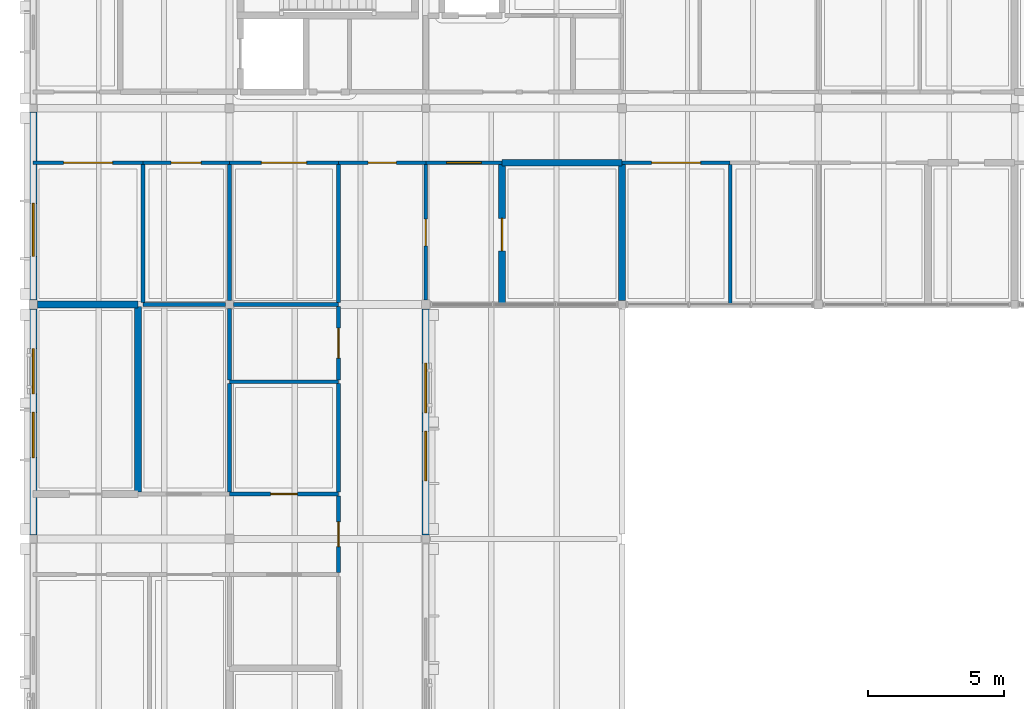
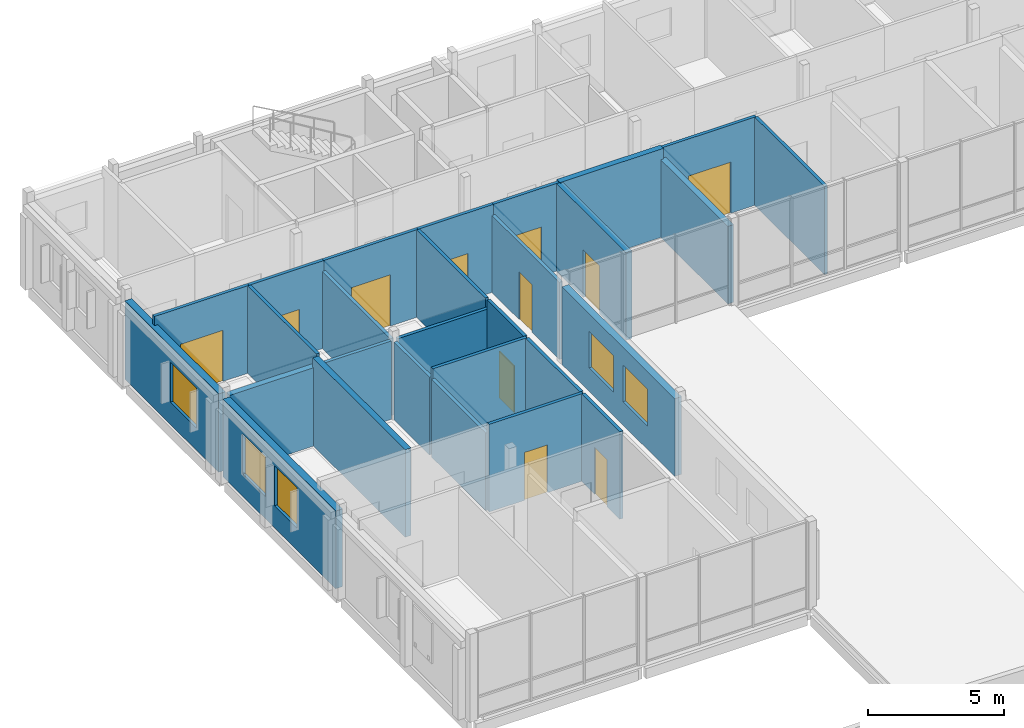
# One storey, part 38 of 57: 28 walls, 11 doors, 5 windows, 16 openings.
"""IFC4 building model written with IfcOpenShell, lengths in metres."""

from ifc_helpers import new_model, si_unit, direction, frame, frame_2d, origin, place, context, subcontext, project, spatial, rectangle, extrude, material, layer, layer_set, type_object, element, fill, save


model = new_model("IFC4")

# Units and contexts
model_context = context("Model", 3, precision=1e-05, world=origin(), true_north=direction((0.0, 1.0)))
body_context = subcontext(model_context, "Body", "Model", "MODEL_VIEW")
ifc_project = project(units=[si_unit("LENGTHUNIT", "METRE"), si_unit("AREAUNIT", "SQUARE_METRE"), si_unit("VOLUMEUNIT", "CUBIC_METRE"), si_unit("PLANEANGLEUNIT", "RADIAN"), si_unit("MASSUNIT", "GRAM", prefix="KILO")], contexts=[model_context])

# Site, building, storey
site_placement = place(None, origin())
site = spatial("IfcSite", under=ifc_project, at=site_placement, CompositionType="ELEMENT")
building_placement = place(site_placement, origin())
building = spatial("IfcBuilding", under=site, at=building_placement, Name="Hawrajan Terrace Health Centre", CompositionType="ELEMENT")
storey_placement = place(building_placement, frame((0.0, 0.0, 13.199951171875)))
storey = spatial("IfcBuildingStorey", under=building, at=storey_placement, Name="L03", CompositionType="ELEMENT", Elevation=13.199951171875)

# Wall, opening, door
ifc_material_1 = material(Name="Gypsum board on acoustic stud framing")
ifc_layer_1 = layer(ifc_material_1, 0.139892578125)
ifc_layer_set_1 = layer_set([ifc_layer_1], Name="Gypsum board on acoustic stud framing")
wall_type_1 = type_object("IfcWallType", Name="ClinicalAcousticWall_140", PredefinedType="PARTITIONING", material=ifc_layer_set_1)
wall_1_placement = place(storey_placement, frame((4.60009765625, 50.60009765625, 0.0), z_axis=(0.0, 0.0, 1.0), x_axis=(1.0, 0.0, 0.0)))
wall_1 = element("IfcWall", 1, at=wall_1_placement, inside=storey, type_object=wall_type_1, Name="Interior wall IW-L03-1275", PredefinedType="PARTITIONING", context=body_context, shape_type="SweptSolid", body=[
    extrude(rectangle(XDim=4.02490234375, YDim=0.139892578125, at=frame_2d((2.012451171875, 0.0))), origin(), (0.0, 0.0, 1.0), 3.929931640625),
])
opening_1_placement = place(wall_1_placement, frame((1.112548828125, 0.0, 0.0)))
opening_1 = element("IfcOpeningElement", 2, at=opening_1_placement, cuts=wall_1, Name="Opening D-L03-591", PredefinedType="OPENING", context=body_context, shape_type="SweptSolid", body=[
    extrude(rectangle(XDim=1.800048828125, YDim=2.300048828125, at=frame_2d((0.89990234375, 1.14990234375))), frame((0.0, 0.079833984375, 0.0), z_axis=(0.0, -1.0, 0.0), x_axis=(1.0, 0.0, 0.0)), (0.0, 0.0, 1.0), 0.159912109375),
])
ifc_material_2 = material(Name="Hardwood acoustic clinical door leaf and frame", Category="wood")
door_type_1 = type_object("IfcDoorType", Name="EducationHallDoor_1800x2300", OperationType="DOUBLE_DOOR_SINGLE_SWING", PredefinedType="DOOR", material=ifc_material_2)
door_1_placement = place(opening_1_placement, origin())
door_1 = element("IfcDoor", 3, at=door_1_placement, inside=storey, type_object=door_type_1, Name="Interior door D-L03-591", OperationType="DOUBLE_DOOR_SINGLE_SWING", OverallHeight=2.300048828125, OverallWidth=1.800048828125, PredefinedType="DOOR", context=body_context, shape_type="SweptSolid", body=[
    extrude(rectangle(XDim=1.800048828125, YDim=2.300048828125, at=frame_2d((0.89990234375, 1.14990234375))), frame((0.0, 0.02490234375, 0.0), z_axis=(0.0, -1.0, 0.0), x_axis=(1.0, 0.0, 0.0)), (0.0, 0.0, 1.0), 0.050048828125),
])
fill(opening_1, door_1)

# Walls
wall_2_placement = place(storey_placement, frame((8.625, 45.469970703125, 0.0), z_axis=(0.0, 0.0, 1.0), x_axis=(0.0, 1.0, 0.0)))
element("IfcWall", 4, at=wall_2_placement, inside=storey, type_object=wall_type_1, Name="Interior wall IW-L03-1281", PredefinedType="PARTITIONING", context=body_context, shape_type="SweptSolid", body=[
    extrude(rectangle(XDim=5.06005859375, YDim=0.139892578125, at=frame_2d((2.530029296875, 0.0))), origin(), (0.0, 0.0, 1.0), 3.929931640625),
])
wall_3_placement = place(storey_placement, frame((8.625, 45.39990234375, 0.0), z_axis=(0.0, 0.0, 1.0), x_axis=(1.0, 0.0, 0.0)))
element("IfcWall", 5, at=wall_3_placement, inside=storey, type_object=wall_type_1, Name="Interior wall IW-L03-1282", PredefinedType="PARTITIONING", context=body_context, shape_type="SweptSolid", body=[
    extrude(rectangle(XDim=3.034912109375, YDim=0.139892578125, at=frame_2d((1.517578125, 0.0))), origin(), (0.0, 0.0, 1.0), 3.52001953125),
])

# Wall, opening, door
wall_4_placement = place(storey_placement, frame((8.625, 50.60009765625, 0.0), z_axis=(0.0, 0.0, 1.0), x_axis=(1.0, 0.0, 0.0)))
wall_4 = element("IfcWall", 6, at=wall_4_placement, inside=storey, type_object=wall_type_1, Name="Interior wall IW-L03-1283", PredefinedType="PARTITIONING", context=body_context, shape_type="SweptSolid", body=[
    extrude(rectangle(XDim=3.175048828125, YDim=0.139892578125, at=frame_2d((1.58740234375, 0.0))), origin(), (0.0, 0.0, 1.0), 3.929931640625),
])
opening_2_placement = place(wall_4_placement, frame((1.03759765625, 0.0, 0.0)))
opening_2 = element("IfcOpeningElement", 7, at=opening_2_placement, cuts=wall_4, Name="Opening D-L03-592", PredefinedType="OPENING", context=body_context, shape_type="SweptSolid", body=[
    extrude(rectangle(XDim=1.10009765625, YDim=2.10009765625, at=frame_2d((0.550048828125, 1.050048828125))), frame((0.0, 0.079833984375, 0.0), z_axis=(0.0, -1.0, 0.0), x_axis=(1.0, 0.0, 0.0)), (0.0, 0.0, 1.0), 0.159912109375),
])
door_type_2 = type_object("IfcDoorType", Name="ConsultDoor_1100x2100", OperationType="NOTDEFINED", PredefinedType="DOOR", material=ifc_material_2)
door_2_placement = place(opening_2_placement, origin())
door_2 = element("IfcDoor", 8, at=door_2_placement, inside=storey, type_object=door_type_2, Name="Interior door D-L03-592", OperationType="SINGLE_SWING_RIGHT", OverallHeight=2.10009765625, OverallWidth=1.10009765625, PredefinedType="DOOR", context=body_context, shape_type="SweptSolid", body=[
    extrude(rectangle(XDim=1.10009765625, YDim=2.10009765625, at=frame_2d((0.550048828125, 1.050048828125))), frame((0.0, 0.02490234375, 0.0), z_axis=(0.0, -1.0, 0.0), x_axis=(1.0, 0.0, 0.0)), (0.0, 0.0, 1.0), 0.050048828125),
])
fill(opening_2, door_2)

# Wall
wall_5_placement = place(storey_placement, frame((11.800048828125, 38.52001953125, 0.0), z_axis=(0.0, 0.0, 1.0), x_axis=(0.0, 1.0, 0.0)))
element("IfcWall", 9, at=wall_5_placement, inside=storey, type_object=wall_type_1, Name="Interior wall IW-L03-1290", PredefinedType="PARTITIONING", context=body_context, shape_type="SweptSolid", body=[
    extrude(rectangle(XDim=3.98095703125, YDim=0.139892578125, at=frame_2d((1.990478515625, 0.0))), origin(), (0.0, 0.0, 1.0), 3.489990234375),
])

# Wall, opening, door
wall_6_placement = place(storey_placement, frame((11.800048828125, 38.449951171875, 0.0), z_axis=(0.0, 0.0, 1.0), x_axis=(1.0, 0.0, 0.0)))
wall_6 = element("IfcWall", 10, at=wall_6_placement, inside=storey, type_object=wall_type_1, Name="Interior wall IW-L03-1291", PredefinedType="PARTITIONING", context=body_context, shape_type="SweptSolid", body=[
    extrude(rectangle(XDim=4.0, YDim=0.139892578125, at=frame_2d((2.0, 0.0))), origin(), (0.0, 0.0, 1.0), 3.929931640625),
])
opening_3_placement = place(wall_6_placement, frame((1.510009765625, 0.0, 0.0)))
opening_3 = element("IfcOpeningElement", 11, at=opening_3_placement, cuts=wall_6, Name="Opening D-L03-596", PredefinedType="OPENING", context=body_context, shape_type="SweptSolid", body=[
    extrude(rectangle(XDim=0.97998046875, YDim=2.14990234375, at=frame_2d((0.489990234375, 1.074951171875))), frame((0.0, 0.079833984375, 0.0), z_axis=(0.0, -1.0, 0.0), x_axis=(1.0, 0.0, 0.0)), (0.0, 0.0, 1.0), 0.159912109375),
])
door_type_3 = type_object("IfcDoorType", Name="ConsultDoor_980x2150", OperationType="NOTDEFINED", PredefinedType="DOOR", material=ifc_material_2)
door_3_placement = place(opening_3_placement, origin())
door_3 = element("IfcDoor", 12, at=door_3_placement, inside=storey, type_object=door_type_3, Name="Interior door D-L03-596", OperationType="SINGLE_SWING_RIGHT", OverallHeight=2.14990234375, OverallWidth=0.97998046875, PredefinedType="DOOR", context=body_context, shape_type="SweptSolid", body=[
    extrude(rectangle(XDim=0.97998046875, YDim=2.14990234375, at=frame_2d((0.489990234375, 1.074951171875))), frame((0.0, 0.02490234375, 0.0), z_axis=(0.0, -1.0, 0.0), x_axis=(1.0, 0.0, 0.0)), (0.0, 0.0, 1.0), 0.050048828125),
])
fill(opening_3, door_3)

# Walls
wall_7_placement = place(storey_placement, frame((11.800048828125, 42.64111328125, 0.0), z_axis=(0.0, 0.0, 1.0), x_axis=(0.0, 1.0, 0.0)))
element("IfcWall", 13, at=wall_7_placement, inside=storey, type_object=wall_type_1, Name="Interior wall IW-L03-1292", PredefinedType="PARTITIONING", context=body_context, shape_type="SweptSolid", body=[
    extrude(rectangle(XDim=2.618896484375, YDim=0.139892578125, at=frame_2d((1.3095703125, 0.0))), origin(), (0.0, 0.0, 1.0), 3.489990234375),
])
wall_8_placement = place(storey_placement, frame((11.800048828125, 42.571044921875, 0.0), z_axis=(0.0, 0.0, 1.0), x_axis=(1.0, 0.0, 0.0)))
element("IfcWall", 14, at=wall_8_placement, inside=storey, type_object=wall_type_1, Name="Interior wall IW-L03-1293", PredefinedType="PARTITIONING", context=body_context, shape_type="SweptSolid", body=[
    extrude(rectangle(XDim=4.0, YDim=0.139892578125, at=frame_2d((2.0, 0.0))), origin(), (0.0, 0.0, 1.0), 3.929931640625),
])
wall_9_placement = place(storey_placement, frame((11.800048828125, 45.5400390625, 0.0), z_axis=(0.0, 0.0, 1.0), x_axis=(0.0, 1.0, 0.0)))
element("IfcWall", 15, at=wall_9_placement, inside=storey, type_object=wall_type_1, Name="Interior wall IW-L03-1294", PredefinedType="PARTITIONING", context=body_context, shape_type="SweptSolid", body=[
    extrude(rectangle(XDim=4.989990234375, YDim=0.139892578125, at=frame_2d((2.4951171875, 0.0))), origin(), (0.0, 0.0, 1.0), 3.4599609375),
])
wall_10_placement = place(storey_placement, frame((11.93994140625, 45.39990234375, 0.0), z_axis=(0.0, 0.0, 1.0), x_axis=(1.0, 0.0, 0.0)))
element("IfcWall", 16, at=wall_10_placement, inside=storey, type_object=wall_type_1, Name="Interior wall IW-L03-1295", PredefinedType="PARTITIONING", context=body_context, shape_type="SweptSolid", body=[
    extrude(rectangle(XDim=3.860107421875, YDim=0.139892578125, at=frame_2d((1.93017578125, 0.0))), origin(), (0.0, 0.0, 1.0), 3.52001953125),
])

# Wall, opening, door
wall_11_placement = place(storey_placement, frame((11.800048828125, 50.60009765625, 0.0), z_axis=(0.0, 0.0, 1.0), x_axis=(1.0, 0.0, 0.0)))
wall_11 = element("IfcWall", 17, at=wall_11_placement, inside=storey, type_object=wall_type_1, Name="Interior wall IW-L03-1296", PredefinedType="PARTITIONING", context=body_context, shape_type="SweptSolid", body=[
    extrude(rectangle(XDim=4.0, YDim=0.139892578125, at=frame_2d((2.0, 0.0))), origin(), (0.0, 0.0, 1.0), 3.929931640625),
])
opening_4_placement = place(wall_11_placement, frame((1.169921875, 0.0, 0.0)))
opening_4 = element("IfcOpeningElement", 18, at=opening_4_placement, cuts=wall_11, Name="Opening D-L03-598", PredefinedType="OPENING", context=body_context, shape_type="SweptSolid", body=[
    extrude(rectangle(XDim=1.659912109375, YDim=2.300048828125, at=frame_2d((0.830078125, 1.14990234375))), frame((0.0, 0.079833984375, 0.0), z_axis=(0.0, -1.0, 0.0), x_axis=(1.0, 0.0, 0.0)), (0.0, 0.0, 1.0), 0.159912109375),
])
door_type_4 = type_object("IfcDoorType", Name="RehabGymDoor_1660x2300", OperationType="DOUBLE_DOOR_SINGLE_SWING", PredefinedType="DOOR", material=ifc_material_2)
door_4_placement = place(opening_4_placement, origin())
door_4 = element("IfcDoor", 19, at=door_4_placement, inside=storey, type_object=door_type_4, Name="Interior door D-L03-598", OperationType="DOUBLE_DOOR_SINGLE_SWING", OverallHeight=2.300048828125, OverallWidth=1.659912109375, PredefinedType="DOOR", context=body_context, shape_type="SweptSolid", body=[
    extrude(rectangle(XDim=1.659912109375, YDim=2.300048828125, at=frame_2d((0.830078125, 1.14990234375))), frame((0.0, 0.02490234375, 0.0), z_axis=(0.0, -1.0, 0.0), x_axis=(1.0, 0.0, 0.0)), (0.0, 0.0, 1.0), 0.050048828125),
])
fill(opening_4, door_4)

wall_12_placement = place(storey_placement, frame((15.800048828125, 35.570068359375, 0.0), z_axis=(0.0, 0.0, 1.0), x_axis=(0.0, 1.0, 0.0)))
wall_12 = element("IfcWall", 20, at=wall_12_placement, inside=storey, type_object=wall_type_1, Name="Interior wall IW-L03-1300", PredefinedType="PARTITIONING", context=body_context, shape_type="SweptSolid", body=[
    extrude(rectangle(XDim=2.809814453125, YDim=0.139892578125, at=frame_2d((1.40478515625, 0.0))), origin(), (0.0, 0.0, 1.0), 3.929931640625),
])
opening_5_placement = place(wall_12_placement, frame((0.955078125, 0.0, 0.0)))
opening_5 = element("IfcOpeningElement", 21, at=opening_5_placement, cuts=wall_12, Name="Opening D-L03-576", PredefinedType="OPENING", context=body_context, shape_type="SweptSolid", body=[
    extrude(rectangle(XDim=0.89990234375, YDim=2.10009765625, at=frame_2d((0.449951171875, 1.050048828125))), frame((0.0, 0.079833984375, 0.0), z_axis=(0.0, -1.0, 0.0), x_axis=(1.0, 0.0, 0.0)), (0.0, 0.0, 1.0), 0.159912109375),
])
door_type_5 = type_object("IfcDoorType", Name="PatientWCDoor_900x2100", OperationType="NOTDEFINED", PredefinedType="DOOR", material=ifc_material_2)
door_5_placement = place(opening_5_placement, origin())
door_5 = element("IfcDoor", 22, at=door_5_placement, inside=storey, type_object=door_type_5, Name="Interior door D-L03-576", OperationType="SINGLE_SWING_RIGHT", OverallHeight=2.10009765625, OverallWidth=0.89990234375, PredefinedType="DOOR", context=body_context, shape_type="SweptSolid", body=[
    extrude(rectangle(XDim=0.89990234375, YDim=2.10009765625, at=frame_2d((0.449951171875, 1.050048828125))), frame((0.0, 0.02490234375, 0.0), z_axis=(0.0, -1.0, 0.0), x_axis=(1.0, 0.0, 0.0)), (0.0, 0.0, 1.0), 0.050048828125),
])
fill(opening_5, door_5)

# Wall
wall_13_placement = place(storey_placement, frame((15.800048828125, 38.52001953125, 0.0), z_axis=(0.0, 0.0, 1.0), x_axis=(0.0, 1.0, 0.0)))
element("IfcWall", 23, at=wall_13_placement, inside=storey, type_object=wall_type_1, Name="Interior wall IW-L03-1301", PredefinedType="PARTITIONING", context=body_context, shape_type="SweptSolid", body=[
    extrude(rectangle(XDim=3.98095703125, YDim=0.139892578125, at=frame_2d((1.990478515625, 0.0))), origin(), (0.0, 0.0, 1.0), 3.929931640625),
])

# Wall, opening, door
wall_14_placement = place(storey_placement, frame((15.800048828125, 42.64111328125, 0.0), z_axis=(0.0, 0.0, 1.0), x_axis=(0.0, 1.0, 0.0)))
wall_14 = element("IfcWall", 24, at=wall_14_placement, inside=storey, type_object=wall_type_1, Name="Interior wall IW-L03-1302", PredefinedType="PARTITIONING", context=body_context, shape_type="SweptSolid", body=[
    extrude(rectangle(XDim=2.68896484375, YDim=0.139892578125, at=frame_2d((1.344482421875, 0.0))), origin(), (0.0, 0.0, 1.0), 3.929931640625),
])
opening_6_placement = place(wall_14_placement, frame((0.79443359375, 0.0, 0.0)))
opening_6 = element("IfcOpeningElement", 25, at=opening_6_placement, cuts=wall_14, Name="Opening D-L03-597", PredefinedType="OPENING", context=body_context, shape_type="SweptSolid", body=[
    extrude(rectangle(XDim=1.10009765625, YDim=2.10009765625, at=frame_2d((0.550048828125, 1.050048828125))), frame((0.0, 0.079833984375, 0.0), z_axis=(0.0, -1.0, 0.0), x_axis=(1.0, 0.0, 0.0)), (0.0, 0.0, 1.0), 0.159912109375),
])
door_6_placement = place(opening_6_placement, origin())
door_6 = element("IfcDoor", 26, at=door_6_placement, inside=storey, type_object=door_type_2, Name="Interior door D-L03-597", OperationType="SINGLE_SWING_LEFT", OverallHeight=2.10009765625, OverallWidth=1.10009765625, PredefinedType="DOOR", context=body_context, shape_type="SweptSolid", body=[
    extrude(rectangle(XDim=1.10009765625, YDim=2.10009765625, at=frame_2d((0.550048828125, 1.050048828125))), frame((0.0, 0.02490234375, 0.0), z_axis=(0.0, -1.0, 0.0), x_axis=(1.0, 0.0, 0.0)), (0.0, 0.0, 1.0), 0.050048828125),
])
fill(opening_6, door_6)

# Wall
wall_15_placement = place(storey_placement, frame((15.800048828125, 45.469970703125, 0.0), z_axis=(0.0, 0.0, 1.0), x_axis=(0.0, 1.0, 0.0)))
element("IfcWall", 27, at=wall_15_placement, inside=storey, type_object=wall_type_1, Name="Interior wall IW-L03-1303", PredefinedType="PARTITIONING", context=body_context, shape_type="SweptSolid", body=[
    extrude(rectangle(XDim=5.06005859375, YDim=0.139892578125, at=frame_2d((2.530029296875, 0.0))), origin(), (0.0, 0.0, 1.0), 3.929931640625),
])

# Wall, opening, door
wall_16_placement = place(storey_placement, frame((15.800048828125, 50.60009765625, 0.0), z_axis=(0.0, 0.0, 1.0), x_axis=(1.0, 0.0, 0.0)))
wall_16 = element("IfcWall", 28, at=wall_16_placement, inside=storey, type_object=wall_type_1, Name="Interior wall IW-L03-1304", PredefinedType="PARTITIONING", context=body_context, shape_type="SweptSolid", body=[
    extrude(rectangle(XDim=3.199951171875, YDim=0.139892578125, at=frame_2d((1.60009765625, 0.0))), origin(), (0.0, 0.0, 1.0), 3.929931640625),
])
opening_7_placement = place(wall_16_placement, frame((1.080078125, 0.0, 0.0)))
opening_7 = element("IfcOpeningElement", 29, at=opening_7_placement, cuts=wall_16, Name="Opening D-L03-574", PredefinedType="OPENING", context=body_context, shape_type="SweptSolid", body=[
    extrude(rectangle(XDim=1.0400390625, YDim=2.10009765625, at=frame_2d((0.52001953125, 1.050048828125))), frame((0.0, 0.079833984375, 0.0), z_axis=(0.0, -1.0, 0.0), x_axis=(1.0, 0.0, 0.0)), (0.0, 0.0, 1.0), 0.159912109375),
])
door_type_6 = type_object("IfcDoorType", Name="ConsultDoor_1040x2100", OperationType="NOTDEFINED", PredefinedType="DOOR", material=ifc_material_2)
door_7_placement = place(opening_7_placement, origin())
door_7 = element("IfcDoor", 30, at=door_7_placement, inside=storey, type_object=door_type_6, Name="Interior door D-L03-574", OperationType="SINGLE_SWING_RIGHT", OverallHeight=2.10009765625, OverallWidth=1.0400390625, PredefinedType="DOOR", context=body_context, shape_type="SweptSolid", body=[
    extrude(rectangle(XDim=1.0400390625, YDim=2.10009765625, at=frame_2d((0.52001953125, 1.050048828125))), frame((0.0, 0.02490234375, 0.0), z_axis=(0.0, -1.0, 0.0), x_axis=(1.0, 0.0, 0.0)), (0.0, 0.0, 1.0), 0.050048828125),
])
fill(opening_7, door_7)

wall_17_placement = place(storey_placement, frame((19.0, 45.56005859375, 0.0), z_axis=(0.0, 0.0, 1.0), x_axis=(0.0, 1.0, 0.0)))
wall_17 = element("IfcWall", 31, at=wall_17_placement, inside=storey, type_object=wall_type_1, Name="Interior wall IW-L03-1305", PredefinedType="PARTITIONING", context=body_context, shape_type="SweptSolid", body=[
    extrude(rectangle(XDim=4.969970703125, YDim=0.139892578125, at=frame_2d((2.48486328125, 0.0))), origin(), (0.0, 0.0, 1.0), 3.4599609375),
])
opening_8_placement = place(wall_17_placement, frame((1.9951171875, 0.0, 0.0)))
opening_8 = element("IfcOpeningElement", 32, at=opening_8_placement, cuts=wall_17, Name="Opening D-L03-577", PredefinedType="OPENING", context=body_context, shape_type="SweptSolid", body=[
    extrude(rectangle(XDim=0.97998046875, YDim=2.14990234375, at=frame_2d((0.489990234375, 1.074951171875))), frame((0.0, 0.079833984375, 0.0), z_axis=(0.0, -1.0, 0.0), x_axis=(1.0, 0.0, 0.0)), (0.0, 0.0, 1.0), 0.159912109375),
])
door_8_placement = place(opening_8_placement, origin())
door_8 = element("IfcDoor", 33, at=door_8_placement, inside=storey, type_object=door_type_3, Name="Interior door D-L03-577", OperationType="SINGLE_SWING_LEFT", OverallHeight=2.14990234375, OverallWidth=0.97998046875, PredefinedType="DOOR", context=body_context, shape_type="SweptSolid", body=[
    extrude(rectangle(XDim=0.97998046875, YDim=2.14990234375, at=frame_2d((0.489990234375, 1.074951171875))), frame((0.0, 0.02490234375, 0.0), z_axis=(0.0, -1.0, 0.0), x_axis=(1.0, 0.0, 0.0)), (0.0, 0.0, 1.0), 0.050048828125),
])
fill(opening_8, door_8)

wall_18_placement = place(storey_placement, frame((19.0, 50.60009765625, 0.0), z_axis=(0.0, 0.0, 1.0), x_axis=(1.0, 0.0, 0.0)))
wall_18 = element("IfcWall", 34, at=wall_18_placement, inside=storey, type_object=wall_type_1, Name="Interior wall IW-L03-1306", PredefinedType="PARTITIONING", context=body_context, shape_type="SweptSolid", body=[
    extrude(rectangle(XDim=2.800048828125, YDim=0.139892578125, at=frame_2d((1.39990234375, 0.0))), origin(), (0.0, 0.0, 1.0), 3.929931640625),
])
opening_9_placement = place(wall_18_placement, frame((0.760009765625, 0.0, 0.0)))
opening_9 = element("IfcOpeningElement", 35, at=opening_9_placement, cuts=wall_18, Name="Opening D-L03-575", PredefinedType="OPENING", context=body_context, shape_type="SweptSolid", body=[
    extrude(rectangle(XDim=1.280029296875, YDim=2.199951171875, at=frame_2d((0.64013671875, 1.10009765625))), frame((0.0, 0.079833984375, 0.0), z_axis=(0.0, -1.0, 0.0), x_axis=(1.0, 0.0, 0.0)), (0.0, 0.0, 1.0), 0.159912109375),
])
door_type_7 = type_object("IfcDoorType", Name="ExamSuiteDoor_1280x2200", OperationType="NOTDEFINED", PredefinedType="DOOR", material=ifc_material_2)
door_9_placement = place(opening_9_placement, origin())
door_9 = element("IfcDoor", 36, at=door_9_placement, inside=storey, type_object=door_type_7, Name="Interior door D-L03-575", OperationType="SINGLE_SWING_LEFT", OverallHeight=2.199951171875, OverallWidth=1.280029296875, PredefinedType="DOOR", context=body_context, shape_type="SweptSolid", body=[
    extrude(rectangle(XDim=1.280029296875, YDim=2.199951171875, at=frame_2d((0.64013671875, 1.10009765625))), frame((0.0, 0.02490234375, 0.0), z_axis=(0.0, -1.0, 0.0), x_axis=(1.0, 0.0, 0.0)), (0.0, 0.0, 1.0), 0.050048828125),
])
fill(opening_9, door_9)

wall_19_placement = place(storey_placement, frame((26.199951171875, 50.60009765625, 0.0), z_axis=(0.0, 0.0, 1.0), x_axis=(1.0, 0.0, 0.0)))
wall_19 = element("IfcWall", 37, at=wall_19_placement, inside=storey, type_object=wall_type_1, Name="Interior wall IW-L03-1312", PredefinedType="PARTITIONING", context=body_context, shape_type="SweptSolid", body=[
    extrude(rectangle(XDim=3.967041015625, YDim=0.139892578125, at=frame_2d((1.9833984375, 0.0))), origin(), (0.0, 0.0, 1.0), 3.9599609375),
])
opening_10_placement = place(wall_19_placement, frame((1.08349609375, 0.0, 0.0)))
opening_10 = element("IfcOpeningElement", 38, at=opening_10_placement, cuts=wall_19, Name="Opening D-L03-601", PredefinedType="OPENING", context=body_context, shape_type="SweptSolid", body=[
    extrude(rectangle(XDim=1.800048828125, YDim=2.300048828125, at=frame_2d((0.89990234375, 1.14990234375))), frame((0.0, 0.079833984375, 0.0), z_axis=(0.0, -1.0, 0.0), x_axis=(1.0, 0.0, 0.0)), (0.0, 0.0, 1.0), 0.159912109375),
])
door_10_placement = place(opening_10_placement, origin())
door_10 = element("IfcDoor", 39, at=door_10_placement, inside=storey, type_object=door_type_1, Name="Interior door D-L03-601", OperationType="DOUBLE_DOOR_SINGLE_SWING", OverallHeight=2.300048828125, OverallWidth=1.800048828125, PredefinedType="DOOR", context=body_context, shape_type="SweptSolid", body=[
    extrude(rectangle(XDim=1.800048828125, YDim=2.300048828125, at=frame_2d((0.89990234375, 1.14990234375))), frame((0.0, 0.02490234375, 0.0), z_axis=(0.0, -1.0, 0.0), x_axis=(1.0, 0.0, 0.0)), (0.0, 0.0, 1.0), 0.050048828125),
])
fill(opening_10, door_10)

# Wall
wall_20_placement = place(storey_placement, frame((30.1669921875, 45.39990234375, 0.0), z_axis=(0.0, 0.0, 1.0), x_axis=(0.0, 1.0, 0.0)))
element("IfcWall", 40, at=wall_20_placement, inside=storey, type_object=wall_type_1, Name="Interior wall IW-L03-1317", PredefinedType="PARTITIONING", context=body_context, shape_type="SweptSolid", body=[
    extrude(rectangle(XDim=5.130126953125, YDim=0.139892578125, at=frame_2d((2.56494140625, 0.0))), origin(), (0.0, 0.0, 1.0), 3.9599609375),
])

# Wall, openings, windows
ifc_material_3 = material(Name="Cross-laminated timber CLT C24", Category="wood")
ifc_layer_2 = layer(ifc_material_3, 0.2900390625)
ifc_layer_set_2 = layer_set([ifc_layer_2], Name="Cross-laminated timber CLT C24")
wall_type_2 = type_object("IfcWallType", Name="InsulatedTimberFacade_290", PredefinedType="SOLIDWALL", material=ifc_layer_set_2)
wall_21_placement = place(storey_placement, frame((4.60009765625, 36.93994140625, 0.0), z_axis=(0.0, 0.0, 1.0), x_axis=(0.0, 1.0, 0.0)))
wall_21 = element("IfcWall", 41, at=wall_21_placement, inside=storey, type_object=wall_type_2, Name="Exterior wall EW-L03-V00-04-1", PredefinedType="SOLIDWALL", context=body_context, shape_type="SweptSolid", body=[
    extrude(rectangle(XDim=8.300048828125, YDim=0.2900390625, at=frame_2d((4.14990234375, 0.0))), origin(), (0.0, 0.0, 1.0), 3.489990234375),
])
opening_11_placement = place(wall_21_placement, frame((2.844970703125, 0.0, 1.0)))
opening_11 = element("IfcOpeningElement", 42, at=opening_11_placement, cuts=wall_21, Name="Opening W-L03-173", PredefinedType="OPENING", context=body_context, shape_type="SweptSolid", body=[
    extrude(rectangle(XDim=1.659912109375, YDim=1.800048828125, at=frame_2d((0.830078125, 0.89990234375))), frame((0.0, 0.155029296875, 0.0), z_axis=(0.0, -1.0, 0.0), x_axis=(1.0, 0.0, 0.0)), (0.0, 0.0, 1.0), 0.31005859375),
])
opening_12_placement = place(wall_21_placement, frame((5.18505859375, 0.0, 1.0)))
opening_12 = element("IfcOpeningElement", 43, at=opening_12_placement, cuts=wall_21, Name="Opening W-L03-174", PredefinedType="OPENING", context=body_context, shape_type="SweptSolid", body=[
    extrude(rectangle(XDim=1.659912109375, YDim=1.800048828125, at=frame_2d((0.830078125, 0.89990234375))), frame((0.0, 0.155029296875, 0.0), z_axis=(0.0, -1.0, 0.0), x_axis=(1.0, 0.0, 0.0)), (0.0, 0.0, 1.0), 0.31005859375),
])
ifc_material_4 = material(Name="Anodized bronze frame with double low-E glazing", Category="glass")
window_type_1 = type_object("IfcWindowType", Name="FacadeWindow_1660x1800", PartitioningType="DOUBLE_PANEL_VERTICAL", PredefinedType="WINDOW", material=ifc_material_4)
window_1_placement = place(opening_11_placement, origin())
window_1 = element("IfcWindow", 44, at=window_1_placement, inside=storey, type_object=window_type_1, Name="Window W-L03-173", OverallHeight=1.800048828125, OverallWidth=1.659912109375, PartitioningType="DOUBLE_PANEL_VERTICAL", PredefinedType="WINDOW", context=body_context, shape_type="SweptSolid", body=[
    extrude(rectangle(XDim=1.659912109375, YDim=1.800048828125, at=frame_2d((0.830078125, 0.89990234375))), frame((0.0, 0.030029296875, 0.0), z_axis=(0.0, -1.0, 0.0), x_axis=(1.0, 0.0, 0.0)), (0.0, 0.0, 1.0), 0.06005859375),
])
fill(opening_11, window_1)
window_2_placement = place(opening_12_placement, origin())
window_2 = element("IfcWindow", 45, at=window_2_placement, inside=storey, type_object=window_type_1, Name="Window W-L03-174", OverallHeight=1.800048828125, OverallWidth=1.659912109375, PartitioningType="DOUBLE_PANEL_VERTICAL", PredefinedType="WINDOW", context=body_context, shape_type="SweptSolid", body=[
    extrude(rectangle(XDim=1.659912109375, YDim=1.800048828125, at=frame_2d((0.830078125, 0.89990234375))), frame((0.0, 0.030029296875, 0.0), z_axis=(0.0, -1.0, 0.0), x_axis=(1.0, 0.0, 0.0)), (0.0, 0.0, 1.0), 0.06005859375),
])
fill(opening_12, window_2)

# Wall, opening, window
wall_22_placement = place(storey_placement, frame((4.60009765625, 45.56005859375, 0.0), z_axis=(0.0, 0.0, 1.0), x_axis=(0.0, 1.0, 0.0)))
wall_22 = element("IfcWall", 46, at=wall_22_placement, inside=storey, type_object=wall_type_2, Name="Exterior wall EW-L03-V00-05-1", PredefinedType="SOLIDWALL", context=body_context, shape_type="SweptSolid", body=[
    extrude(rectangle(XDim=6.89990234375, YDim=0.2900390625, at=frame_2d((3.449951171875, 0.0))), origin(), (0.0, 0.0, 1.0), 3.52001953125),
])
opening_13_placement = place(wall_22_placement, frame((1.610107421875, 0.0, 1.0)))
opening_13 = element("IfcOpeningElement", 47, at=opening_13_placement, cuts=wall_22, Name="Opening W-L03-175", PredefinedType="OPENING", context=body_context, shape_type="SweptSolid", body=[
    extrude(rectangle(XDim=1.93994140625, YDim=1.800048828125, at=frame_2d((0.969970703125, 0.89990234375))), frame((0.0, 0.155029296875, 0.0), z_axis=(0.0, -1.0, 0.0), x_axis=(1.0, 0.0, 0.0)), (0.0, 0.0, 1.0), 0.31005859375),
])
window_type_2 = type_object("IfcWindowType", Name="FacadeWindow_1940x1800", PartitioningType="DOUBLE_PANEL_VERTICAL", PredefinedType="WINDOW", material=ifc_material_4)
window_3_placement = place(opening_13_placement, origin())
window_3 = element("IfcWindow", 48, at=window_3_placement, inside=storey, type_object=window_type_2, Name="Window W-L03-175", OverallHeight=1.800048828125, OverallWidth=1.93994140625, PartitioningType="DOUBLE_PANEL_VERTICAL", PredefinedType="WINDOW", context=body_context, shape_type="SweptSolid", body=[
    extrude(rectangle(XDim=1.93994140625, YDim=1.800048828125, at=frame_2d((0.969970703125, 0.89990234375))), frame((0.0, 0.030029296875, 0.0), z_axis=(0.0, -1.0, 0.0), x_axis=(1.0, 0.0, 0.0)), (0.0, 0.0, 1.0), 0.06005859375),
])
fill(opening_13, window_3)

# Wall, openings, windows
wall_23_placement = place(storey_placement, frame((19.0, 36.93994140625, 0.0), z_axis=(0.0, 0.0, 1.0), x_axis=(0.0, 1.0, 0.0)))
wall_23 = element("IfcWall", 49, at=wall_23_placement, inside=storey, type_object=wall_type_2, Name="Exterior wall EW-L03-V02-04-1", PredefinedType="SOLIDWALL", context=body_context, shape_type="SweptSolid", body=[
    extrude(rectangle(XDim=8.300048828125, YDim=0.2900390625, at=frame_2d((4.14990234375, 0.0))), origin(), (0.0, 0.0, 1.0), 3.489990234375),
])
opening_14_placement = place(wall_23_placement, frame((1.989990234375, 0.0, 1.050048828125)))
opening_14 = element("IfcOpeningElement", 50, at=opening_14_placement, cuts=wall_23, Name="Opening W-L03-182", PredefinedType="OPENING", context=body_context, shape_type="SweptSolid", body=[
    extrude(rectangle(XDim=1.820068359375, YDim=1.64990234375, at=frame_2d((0.91015625, 0.824951171875))), frame((0.0, 0.155029296875, 0.0), z_axis=(0.0, -1.0, 0.0), x_axis=(1.0, 0.0, 0.0)), (0.0, 0.0, 1.0), 0.31005859375),
])
opening_15_placement = place(wall_23_placement, frame((4.489990234375, 0.0, 1.050048828125)))
opening_15 = element("IfcOpeningElement", 51, at=opening_15_placement, cuts=wall_23, Name="Opening W-L03-183", PredefinedType="OPENING", context=body_context, shape_type="SweptSolid", body=[
    extrude(rectangle(XDim=1.820068359375, YDim=1.64990234375, at=frame_2d((0.91015625, 0.824951171875))), frame((0.0, 0.155029296875, 0.0), z_axis=(0.0, -1.0, 0.0), x_axis=(1.0, 0.0, 0.0)), (0.0, 0.0, 1.0), 0.31005859375),
])
window_type_3 = type_object("IfcWindowType", Name="FacadeWindow_1820x1650", PartitioningType="DOUBLE_PANEL_VERTICAL", PredefinedType="WINDOW", material=ifc_material_4)
window_4_placement = place(opening_14_placement, origin())
window_4 = element("IfcWindow", 52, at=window_4_placement, inside=storey, type_object=window_type_3, Name="Window W-L03-182", OverallHeight=1.64990234375, OverallWidth=1.820068359375, PartitioningType="DOUBLE_PANEL_VERTICAL", PredefinedType="WINDOW", context=body_context, shape_type="SweptSolid", body=[
    extrude(rectangle(XDim=1.820068359375, YDim=1.64990234375, at=frame_2d((0.91015625, 0.824951171875))), frame((0.0, 0.030029296875, 0.0), z_axis=(0.0, -1.0, 0.0), x_axis=(1.0, 0.0, 0.0)), (0.0, 0.0, 1.0), 0.06005859375),
])
fill(opening_14, window_4)
window_5_placement = place(opening_15_placement, origin())
window_5 = element("IfcWindow", 53, at=window_5_placement, inside=storey, type_object=window_type_3, Name="Window W-L03-183", OverallHeight=1.64990234375, OverallWidth=1.820068359375, PartitioningType="DOUBLE_PANEL_VERTICAL", PredefinedType="WINDOW", context=body_context, shape_type="SweptSolid", body=[
    extrude(rectangle(XDim=1.820068359375, YDim=1.64990234375, at=frame_2d((0.91015625, 0.824951171875))), frame((0.0, 0.030029296875, 0.0), z_axis=(0.0, -1.0, 0.0), x_axis=(1.0, 0.0, 0.0)), (0.0, 0.0, 1.0), 0.06005859375),
])
fill(opening_15, window_5)

# Walls
ifc_material_5 = material(Name="Concrete C40/50", Category="concrete")
ifc_layer_3 = layer(ifc_material_5, 0.25)
ifc_layer_set_3 = layer_set([ifc_layer_3], Name="Concrete C40/50")
wall_type_3 = type_object("IfcWallType", Name="RadiationShieldWall_RC250", PredefinedType="SOLIDWALL", material=ifc_layer_set_3)
wall_24_placement = place(storey_placement, frame((4.760009765625, 45.39990234375, 0.0), z_axis=(0.0, 0.0, 1.0), x_axis=(1.0, 0.0, 0.0)))
element("IfcWall", 54, at=wall_24_placement, inside=storey, type_object=wall_type_3, Name="Interior wall IW-L03-1274", PredefinedType="SOLIDWALL", context=body_context, shape_type="SweptSolid", body=[
    extrude(rectangle(XDim=3.68505859375, YDim=0.25, at=frame_2d((1.842529296875, 0.0))), origin(), (0.0, 0.0, 1.0), 3.52001953125),
])
wall_25_placement = place(storey_placement, frame((8.445068359375, 38.52001953125, 0.0), z_axis=(0.0, 0.0, 1.0), x_axis=(0.0, 1.0, 0.0)))
element("IfcWall", 55, at=wall_25_placement, inside=storey, type_object=wall_type_3, Name="Interior wall IW-L03-1279", PredefinedType="SOLIDWALL", context=body_context, shape_type="SweptSolid", body=[
    extrude(rectangle(XDim=6.81005859375, YDim=0.25, at=frame_2d((3.405029296875, 0.0))), origin(), (0.0, 0.0, 1.0), 3.929931640625),
])

# Wall, opening, door
wall_26_placement = place(storey_placement, frame((21.800048828125, 45.39990234375, 0.0), z_axis=(0.0, 0.0, 1.0), x_axis=(0.0, 1.0, 0.0)))
wall_26 = element("IfcWall", 56, at=wall_26_placement, inside=storey, type_object=wall_type_3, Name="Interior wall IW-L03-1308", PredefinedType="SOLIDWALL", context=body_context, shape_type="SweptSolid", body=[
    extrude(rectangle(XDim=5.130126953125, YDim=0.25, at=frame_2d((2.56494140625, 0.0))), origin(), (0.0, 0.0, 1.0), 3.929931640625),
])
opening_16_placement = place(wall_26_placement, frame((1.965087890625, 0.0, 0.0)))
opening_16 = element("IfcOpeningElement", 57, at=opening_16_placement, cuts=wall_26, Name="Opening D-L03-599", PredefinedType="OPENING", context=body_context, shape_type="SweptSolid", body=[
    extrude(rectangle(XDim=1.199951171875, YDim=2.14990234375, at=frame_2d((0.60009765625, 1.074951171875))), frame((0.0, 0.135009765625, 0.0), z_axis=(0.0, -1.0, 0.0), x_axis=(1.0, 0.0, 0.0)), (0.0, 0.0, 1.0), 0.27001953125),
])
ifc_material_6 = material(Name="Timber-veneered acoustic fire-resisting door assembly", Category="wood")
door_type_8 = type_object("IfcDoorType", Name="PharmacyFireDoor_1200x2150", OperationType="NOTDEFINED", PredefinedType="DOOR", material=ifc_material_6)
door_11_placement = place(opening_16_placement, origin())
door_11 = element("IfcDoor", 58, at=door_11_placement, inside=storey, type_object=door_type_8, Name="Interior door D-L03-599", OperationType="SINGLE_SWING_LEFT", OverallHeight=2.14990234375, OverallWidth=1.199951171875, PredefinedType="DOOR", context=body_context, shape_type="SweptSolid", body=[
    extrude(rectangle(XDim=1.199951171875, YDim=2.14990234375, at=frame_2d((0.60009765625, 1.074951171875))), frame((0.0, 0.02490234375, 0.0), z_axis=(0.0, -1.0, 0.0), x_axis=(1.0, 0.0, 0.0)), (0.0, 0.0, 1.0), 0.050048828125),
])
fill(opening_16, door_11)

# Walls
wall_27_placement = place(storey_placement, frame((21.800048828125, 50.60009765625, 0.0), z_axis=(0.0, 0.0, 1.0), x_axis=(1.0, 0.0, 0.0)))
element("IfcWall", 59, at=wall_27_placement, inside=storey, type_object=wall_type_3, Name="Interior wall IW-L03-1309", PredefinedType="SOLIDWALL", context=body_context, shape_type="SweptSolid", body=[
    extrude(rectangle(XDim=4.39990234375, YDim=0.25, at=frame_2d((2.199951171875, 0.0))), origin(), (0.0, 0.0, 1.0), 3.9599609375),
])
wall_28_placement = place(storey_placement, frame((26.199951171875, 45.5400390625, 0.0), z_axis=(0.0, 0.0, 1.0), x_axis=(0.0, 1.0, 0.0)))
element("IfcWall", 60, at=wall_28_placement, inside=storey, type_object=wall_type_3, Name="Interior wall IW-L03-1311", PredefinedType="SOLIDWALL", context=body_context, shape_type="SweptSolid", body=[
    extrude(rectangle(XDim=4.989990234375, YDim=0.25, at=frame_2d((2.4951171875, 0.0))), origin(), (0.0, 0.0, 1.0), 3.489990234375),
])

save(model, "model.ifc")
